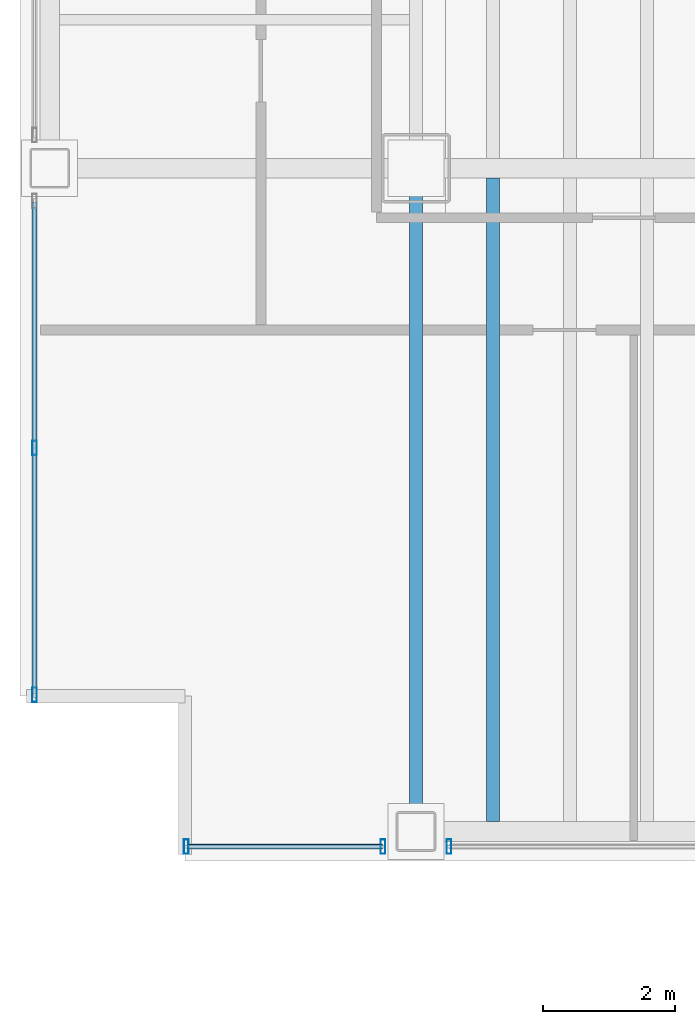
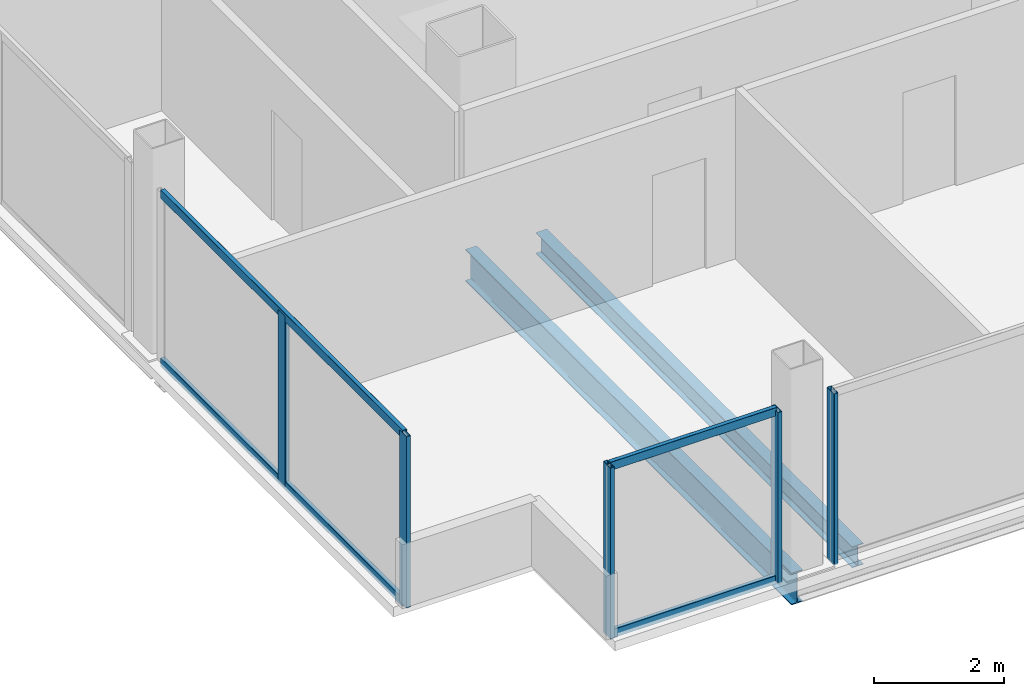
# One storey, part 2 of 22: 9 members, 2 beams, 3 elements without a shape of their own.
"""IFC4 building model written with IfcOpenShell, lengths in metres."""

from ifc_helpers import new_model, si_unit, direction, frame, origin, origin_2d, place, context, subcontext, project, spatial, hollow_rectangle, i_section, extrude, material, material_profile, profile_set, type_object, element, aggregate, save


model = new_model("IFC4")

# Units and contexts
model_context = context("Model", 3, precision=1e-05, world=origin(), true_north=direction((0.0, 1.0)))
body_context = subcontext(model_context, "Body", "Model", "MODEL_VIEW")
ifc_project = project(units=[si_unit("LENGTHUNIT", "METRE"), si_unit("AREAUNIT", "SQUARE_METRE"), si_unit("VOLUMEUNIT", "CUBIC_METRE"), si_unit("PLANEANGLEUNIT", "RADIAN"), si_unit("MASSUNIT", "GRAM", prefix="KILO")], contexts=[model_context])

# Site, building, storey
site_placement = place(None, origin())
site = spatial("IfcSite", under=ifc_project, at=site_placement, CompositionType="ELEMENT")
building_placement = place(site_placement, origin())
building = spatial("IfcBuilding", under=site, at=building_placement, Name="Noeulbin Bourse Tower", CompositionType="ELEMENT")
storey_placement = place(building_placement, frame((0.0, 0.0, 88.89990234375)))
storey = spatial("IfcBuildingStorey", under=building, at=storey_placement, Name="L22", CompositionType="ELEMENT", Elevation=88.89990234375)

# Beams
ifc_material_1 = material(Name="Steel S355", Category="steel")
ifc_material_profile_1 = material_profile(ifc_material_1, i_section(OverallWidth=0.199951171875, OverallDepth=0.60009765625, WebThickness=0.010986328125, FlangeThickness=0.01708984375, FilletRadius=0.02197265625, at=origin_2d()), Name="H-600x200x11x17", Category="LoadBearing")
ifc_profile_set_1 = profile_set([ifc_material_profile_1], Name="Steel S355")
beam_type_1 = type_object("IfcBeamType", Name="BM-GRD-600", PredefinedType="USERDEFINED", material=ifc_profile_set_1)
beam_1_placement = place(storey_placement, frame((13.5, 9.949951171875, -0.47998046875), z_axis=(0.0, 1.0, 0.0), x_axis=(-1.0, 0.0, 0.0)))
element("IfcBeam", 1, at=beam_1_placement, inside=storey, type_object=beam_type_1, Name="Tower Primary Girder NS L22-1.1", ObjectType="GIRDER", PredefinedType="USERDEFINED", context=body_context, shape_type="SweptSolid", body=[
    extrude(i_section(OverallWidth=0.199951171875, OverallDepth=0.60009765625, WebThickness=0.010986328125, FlangeThickness=0.01708984375, FilletRadius=0.02197265625, at=origin_2d()), origin(), (0.0, 0.0, 1.0), 10.050048828125),
])
ifc_material_profile_2 = material_profile(ifc_material_1, i_section(OverallWidth=0.199951171875, OverallDepth=0.39990234375, WebThickness=0.008056640625, FlangeThickness=0.012939453125, FilletRadius=0.01611328125, at=origin_2d()), Name="H-400x200x8x13", Category="LoadBearing")
ifc_profile_set_2 = profile_set([ifc_material_profile_2], Name="Steel S355")
beam_type_2 = type_object("IfcBeamType", Name="BM-SEC-400", PredefinedType="BEAM", material=ifc_profile_set_2)
beam_2_placement = place(storey_placement, frame((14.666748046875, 10.10009765625, -0.3798828125), z_axis=(0.0, 1.0, 0.0), x_axis=(-1.0, 0.0, 0.0)))
element("IfcBeam", 2, at=beam_2_placement, inside=storey, type_object=beam_type_2, Name="Tower Composite Joist L22-01", PredefinedType="BEAM", context=body_context, shape_type="SweptSolid", body=[
    extrude(i_section(OverallWidth=0.199951171875, OverallDepth=0.39990234375, WebThickness=0.008056640625, FlangeThickness=0.012939453125, FilletRadius=0.01611328125, at=origin_2d()), origin(), (0.0, 0.0, 1.0), 9.75),
])

# Curtain wall, members
ifc_material_2 = material(Name="Dark Solar-Control Double Glazing", Category="glass")
curtain_wall_type = type_object("IfcCurtainWallType", Name="CW-SYS-2", PredefinedType="NOTDEFINED", material=ifc_material_2)
curtain_wall_1_placement = place(storey_placement, origin())
curtain_wall_1 = element("IfcCurtainWall", 3, at=curtain_wall_1_placement, inside=storey, type_object=curtain_wall_type, Name="Unitised Curtain Wall CW-L22-S1-S1", PredefinedType="NOTDEFINED")
ifc_material_3 = material(Name="Anodised Aluminium 6063-T6", Category="aluminium")
ifc_material_profile_3 = material_profile(ifc_material_3, hollow_rectangle(XDim=0.074951171875, YDim=0.219970703125, WallThickness=0.0048828125, InnerFilletRadius=0.00244140625, OuterFilletRadius=0.0048828125, at=origin_2d()), Name="ALU-MULL-75x220x5", Category="LoadBearing")
ifc_profile_set_3 = profile_set([ifc_material_profile_3], Name="Anodised Aluminium 6063-T6")
member_type_1 = type_object("IfcMemberType", Name="CW-SYS-2-MUL", PredefinedType="MULLION", material=ifc_profile_set_3)
member_1_placement = place(storey_placement, frame((10.02001953125, 9.719970703125, -0.02001953125), z_axis=(0.0, 0.0, 1.0), x_axis=(1.0, 0.0, 0.0)))
member_1 = element("IfcMember", 4, at=member_1_placement, type_object=member_type_1, Name="Curtain Wall Mullion CW-L22-S1-S1-M00", PredefinedType="MULLION", context=body_context, shape_type="SweptSolid", body=[
    extrude(hollow_rectangle(XDim=0.074951171875, YDim=0.219970703125, WallThickness=0.0048828125, InnerFilletRadius=0.00244140625, OuterFilletRadius=0.0048828125, at=origin_2d()), origin(), (0.0, 0.0, 1.0), 3.22021484375),
])
member_2_placement = place(storey_placement, frame((13.0, 9.719970703125, -0.02001953125), z_axis=(0.0, 0.0, 1.0), x_axis=(1.0, 0.0, 0.0)))
member_2 = element("IfcMember", 5, at=member_2_placement, type_object=member_type_1, Name="Curtain Wall Mullion CW-L22-S1-S1-M01", PredefinedType="MULLION", context=body_context, shape_type="SweptSolid", body=[
    extrude(hollow_rectangle(XDim=0.074951171875, YDim=0.219970703125, WallThickness=0.0048828125, InnerFilletRadius=0.00244140625, OuterFilletRadius=0.0048828125, at=origin_2d()), origin(), (0.0, 0.0, 1.0), 3.22021484375),
])

# Curtain wall, member
curtain_wall_2_placement = place(storey_placement, origin())
curtain_wall_2 = element("IfcCurtainWall", 6, at=curtain_wall_2_placement, inside=storey, type_object=curtain_wall_type, Name="Unitised Curtain Wall CW-L22-S1-S2", PredefinedType="NOTDEFINED")
member_3_placement = place(storey_placement, frame((14.0, 9.719970703125, -0.02001953125), z_axis=(0.0, 0.0, 1.0), x_axis=(1.0, 0.0, 0.0)))
member_3 = element("IfcMember", 7, at=member_3_placement, type_object=member_type_1, Name="Curtain Wall Mullion CW-L22-S1-S2-M00", PredefinedType="MULLION", context=body_context, shape_type="SweptSolid", body=[
    extrude(hollow_rectangle(XDim=0.074951171875, YDim=0.219970703125, WallThickness=0.0048828125, InnerFilletRadius=0.00244140625, OuterFilletRadius=0.0048828125, at=origin_2d()), origin(), (0.0, 0.0, 1.0), 3.22021484375),
])
aggregate(curtain_wall_2, [member_3])

# Curtain wall, members
curtain_wall_3_placement = place(storey_placement, origin())
curtain_wall_3 = element("IfcCurtainWall", 8, at=curtain_wall_3_placement, inside=storey, type_object=curtain_wall_type, Name="Unitised Curtain Wall CW-L22-W-S1", PredefinedType="NOTDEFINED")
member_4_placement = place(storey_placement, frame((7.719970703125, 12.02001953125, -0.02001953125), z_axis=(0.0, 0.0, 1.0), x_axis=(1.0, 0.0, 0.0)))
member_4 = element("IfcMember", 9, at=member_4_placement, type_object=member_type_1, Name="Curtain Wall Mullion CW-L22-W-S1-M00", PredefinedType="MULLION", context=body_context, shape_type="SweptSolid", body=[
    extrude(hollow_rectangle(XDim=0.074951171875, YDim=0.219970703125, WallThickness=0.0048828125, InnerFilletRadius=0.00244140625, OuterFilletRadius=0.0048828125, at=origin_2d()), origin(), (0.0, 0.0, 1.0), 3.22021484375),
])
member_5_placement = place(storey_placement, frame((7.719970703125, 15.760009765625, -0.02001953125), z_axis=(0.0, 0.0, 1.0), x_axis=(1.0, 0.0, 0.0)))
member_5 = element("IfcMember", 10, at=member_5_placement, type_object=member_type_1, Name="Curtain Wall Mullion CW-L22-W-S1-M01", PredefinedType="MULLION", context=body_context, shape_type="SweptSolid", body=[
    extrude(hollow_rectangle(XDim=0.074951171875, YDim=0.219970703125, WallThickness=0.0048828125, InnerFilletRadius=0.00244140625, OuterFilletRadius=0.0048828125, at=origin_2d()), origin(), (0.0, 0.0, 1.0), 3.22021484375),
])

# Member
ifc_material_profile_4 = material_profile(ifc_material_3, hollow_rectangle(XDim=0.074951171875, YDim=0.159912109375, WallThickness=0.0048828125, InnerFilletRadius=0.00244140625, OuterFilletRadius=0.0048828125, at=origin_2d()), Name="ALU-TRAN-75x160x5", Category="LoadBearing")
ifc_profile_set_4 = profile_set([ifc_material_profile_4], Name="Anodised Aluminium 6063-T6")
member_type_2 = type_object("IfcMemberType", Name="CW-SYS-2-TRN", PredefinedType="USERDEFINED", material=ifc_profile_set_4)
member_6_placement = place(storey_placement, frame((10.030029296875, 9.719970703125, 0.010009765625), z_axis=(1.0, 0.0, 0.0), x_axis=(0.0, 1.0, 0.0)))
member_6 = element("IfcMember", 11, at=member_6_placement, type_object=member_type_2, Name="Curtain Wall Transom CW-L22-S1-S1-T00", ObjectType="TRANSOM", PredefinedType="USERDEFINED", context=body_context, shape_type="SweptSolid", body=[
    extrude(hollow_rectangle(XDim=0.074951171875, YDim=0.159912109375, WallThickness=0.0048828125, InnerFilletRadius=0.00244140625, OuterFilletRadius=0.0048828125, at=origin_2d()), origin(), (0.0, 0.0, 1.0), 2.9599609375),
])

member_7_placement = place(storey_placement, frame((10.030029296875, 9.719970703125, 3.170166015625), z_axis=(1.0, 0.0, 0.0), x_axis=(0.0, 1.0, 0.0)))
member_7 = element("IfcMember", 12, at=member_7_placement, type_object=member_type_2, Name="Curtain Wall Transom CW-L22-S1-S1-T01", ObjectType="TRANSOM", PredefinedType="USERDEFINED", context=body_context, shape_type="SweptSolid", body=[
    extrude(hollow_rectangle(XDim=0.074951171875, YDim=0.159912109375, WallThickness=0.0048828125, InnerFilletRadius=0.00244140625, OuterFilletRadius=0.0048828125, at=origin_2d()), origin(), (0.0, 0.0, 1.0), 2.9599609375),
])

aggregate(curtain_wall_1, [member_1, member_2, member_6, member_7])

member_8_placement = place(storey_placement, frame((7.719970703125, 12.030029296875, 0.010009765625), z_axis=(0.0, 1.0, 0.0), x_axis=(-1.0, 0.0, 0.0)))
member_8 = element("IfcMember", 13, at=member_8_placement, type_object=member_type_2, Name="Curtain Wall Transom CW-L22-W-S1-T00", ObjectType="TRANSOM", PredefinedType="USERDEFINED", context=body_context, shape_type="SweptSolid", body=[
    extrude(hollow_rectangle(XDim=0.074951171875, YDim=0.159912109375, WallThickness=0.0048828125, InnerFilletRadius=0.00244140625, OuterFilletRadius=0.0048828125, at=origin_2d()), origin(), (0.0, 0.0, 1.0), 7.4599609375),
])

member_9_placement = place(storey_placement, frame((7.719970703125, 12.030029296875, 3.170166015625), z_axis=(0.0, 1.0, 0.0), x_axis=(-1.0, 0.0, 0.0)))
member_9 = element("IfcMember", 14, at=member_9_placement, type_object=member_type_2, Name="Curtain Wall Transom CW-L22-W-S1-T01", ObjectType="TRANSOM", PredefinedType="USERDEFINED", context=body_context, shape_type="SweptSolid", body=[
    extrude(hollow_rectangle(XDim=0.074951171875, YDim=0.159912109375, WallThickness=0.0048828125, InnerFilletRadius=0.00244140625, OuterFilletRadius=0.0048828125, at=origin_2d()), origin(), (0.0, 0.0, 1.0), 7.4599609375),
])

aggregate(curtain_wall_3, [member_4, member_5, member_8, member_9])

save(model, "model.ifc")
